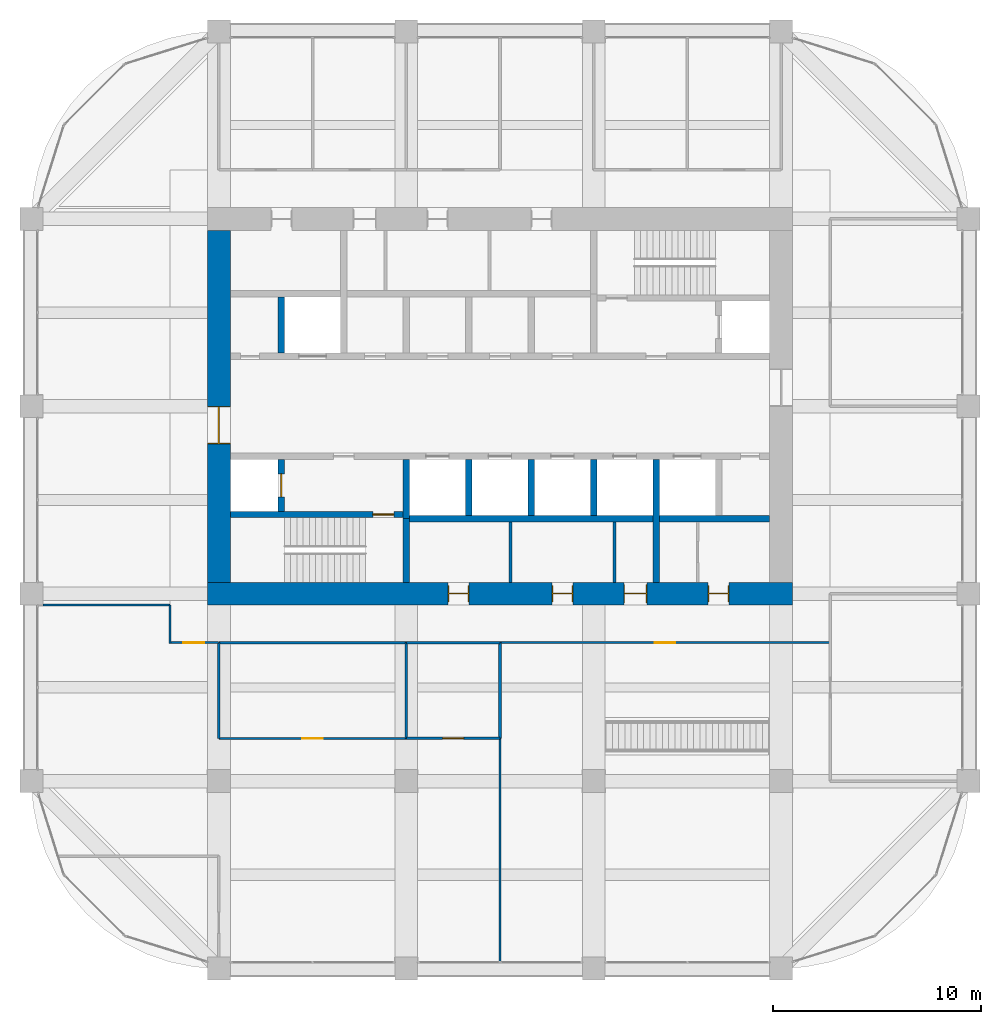
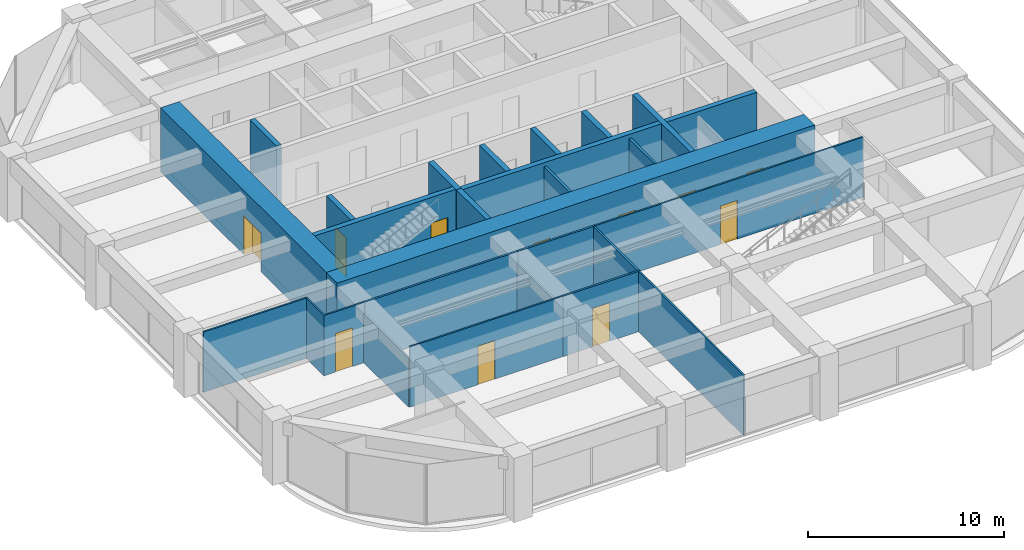
# One storey, part 41 of 44: 26 walls, 11 doors, 11 openings.
"""IFC4 building model written with IfcOpenShell, lengths in metres."""

from ifc_helpers import new_model, si_unit, direction, frame, frame_2d, origin, place, context, subcontext, project, spatial, rectangle, extrude, material, layer, layer_set, type_object, element, fill, save


model = new_model("IFC4")

# Units and contexts
model_context = context("Model", 3, precision=1e-05, world=origin(), true_north=direction((0.0, 1.0)))
body_context = subcontext(model_context, "Body", "Model", "MODEL_VIEW")
ifc_project = project(units=[si_unit("LENGTHUNIT", "METRE"), si_unit("AREAUNIT", "SQUARE_METRE"), si_unit("VOLUMEUNIT", "CUBIC_METRE"), si_unit("PLANEANGLEUNIT", "RADIAN"), si_unit("MASSUNIT", "GRAM", prefix="KILO")], contexts=[model_context])

# Site, building, storey
site_placement = place(None, origin())
site = spatial("IfcSite", under=ifc_project, at=site_placement, CompositionType="ELEMENT")
building_placement = place(site_placement, origin())
building = spatial("IfcBuilding", under=site, at=building_placement, Name="Zorevar Civic Tower", CompositionType="ELEMENT")
storey_placement = place(building_placement, frame((0.0, 0.0, 251.39990234375)))
storey = spatial("IfcBuildingStorey", under=building, at=storey_placement, Name="L61", CompositionType="ELEMENT", Elevation=251.39990234375)

# Wall, openings, doors
ifc_material_1 = material(Name="Concrete C50/60", Category="concrete")
ifc_layer_1 = layer(ifc_material_1, 1.10009765625)
ifc_layer_set_1 = layer_set([ifc_layer_1], Name="Core wall 1100")
wall_type_1 = type_object("IfcWallType", Name="Core wall 1100", PredefinedType="SHEAR", material=ifc_layer_set_1)
wall_1_placement = place(storey_placement, frame((17.449951171875, 18.0, 0.0), z_axis=(0.0, 0.0, 1.0), x_axis=(1.0, 0.0, 0.0)))
wall_1 = element("IfcWall", 1, at=wall_1_placement, inside=storey, type_object=wall_type_1, Name="Core wall S L61", PredefinedType="SHEAR", context=body_context, shape_type="SweptSolid", body=[
    extrude(rectangle(XDim=28.10009765625, YDim=1.10009765625, at=frame_2d((14.050048828125, 0.0))), origin(), (0.0, 0.0, 1.0), 4.0),
])
opening_1_placement = place(wall_1_placement, frame((11.550048828125, 0.0, 0.0)))
opening_1 = element("IfcOpeningElement", 2, at=opening_1_placement, cuts=wall_1, Name="Opening L61.03", PredefinedType="OPENING", context=body_context, shape_type="SweptSolid", body=[
    extrude(rectangle(XDim=1.0, YDim=2.39990234375, at=frame_2d((0.5, 1.199951171875))), frame((0.0, 0.56005859375, 0.0), z_axis=(0.0, -1.0, 0.0), x_axis=(1.0, 0.0, 0.0)), (0.0, 0.0, 1.0), 1.1201171875),
])
opening_2_placement = place(wall_1_placement, frame((16.550048828125, 0.0, 0.0)))
opening_2 = element("IfcOpeningElement", 3, at=opening_2_placement, cuts=wall_1, Name="Opening L61.04", PredefinedType="OPENING", context=body_context, shape_type="SweptSolid", body=[
    extrude(rectangle(XDim=1.0, YDim=2.39990234375, at=frame_2d((0.5, 1.199951171875))), frame((0.0, 0.56005859375, 0.0), z_axis=(0.0, -1.0, 0.0), x_axis=(1.0, 0.0, 0.0)), (0.0, 0.0, 1.0), 1.1201171875),
])
opening_3_placement = place(wall_1_placement, frame((20.0, 0.0, 0.0)))
opening_3 = element("IfcOpeningElement", 4, at=opening_3_placement, cuts=wall_1, Name="Opening L61.05", PredefinedType="OPENING", context=body_context, shape_type="SweptSolid", body=[
    extrude(rectangle(XDim=1.10009765625, YDim=2.39990234375, at=frame_2d((0.550048828125, 1.199951171875))), frame((0.0, 0.56005859375, 0.0), z_axis=(0.0, -1.0, 0.0), x_axis=(1.0, 0.0, 0.0)), (0.0, 0.0, 1.0), 1.1201171875),
])
opening_4_placement = place(wall_1_placement, frame((24.050048828125, 0.0, 0.0)))
opening_4 = element("IfcOpeningElement", 5, at=opening_4_placement, cuts=wall_1, Name="Opening L61.06", PredefinedType="OPENING", context=body_context, shape_type="SweptSolid", body=[
    extrude(rectangle(XDim=1.0, YDim=2.39990234375, at=frame_2d((0.5, 1.199951171875))), frame((0.0, 0.56005859375, 0.0), z_axis=(0.0, -1.0, 0.0), x_axis=(1.0, 0.0, 0.0)), (0.0, 0.0, 1.0), 1.1201171875),
])
ifc_material_2 = material(Name="Timber door set", Category="wood")
door_type_1 = type_object("IfcDoorType", Name="Door D1 1000x2400", OperationType="SINGLE_SWING_LEFT", PredefinedType="DOOR", material=ifc_material_2)
door_1_placement = place(opening_1_placement, origin())
door_1 = element("IfcDoor", 6, at=door_1_placement, inside=storey, type_object=door_type_1, Name="Door L61 02", OperationType="SINGLE_SWING_LEFT", OverallHeight=2.39990234375, OverallWidth=1.0, PredefinedType="DOOR", context=body_context, shape_type="SweptSolid", body=[
    extrude(rectangle(XDim=1.0, YDim=2.39990234375, at=frame_2d((0.5, 1.199951171875))), frame((0.0, 0.02490234375, 0.0), z_axis=(0.0, -1.0, 0.0), x_axis=(1.0, 0.0, 0.0)), (0.0, 0.0, 1.0), 0.050048828125),
    extrude(rectangle(XDim=0.04, YDim=2.39990234375, at=frame_2d((0.02001953125, 1.199951171875))), frame((0.0, 0.39990234375, 0.0), z_axis=(0.0, -1.0, 0.0), x_axis=(1.0, 0.0, 0.0)), (0.0, 0.0, 1.0), 0.800048828125),
    extrude(rectangle(XDim=0.04, YDim=2.39990234375, at=frame_2d((0.97998046875, 1.199951171875))), frame((0.0, 0.39990234375, 0.0), z_axis=(0.0, -1.0, 0.0), x_axis=(1.0, 0.0, 0.0)), (0.0, 0.0, 1.0), 0.800048828125),
    extrude(rectangle(XDim=1.0, YDim=0.04, at=frame_2d((0.5, 2.3798828125))), frame((0.0, 0.39990234375, 0.0), z_axis=(0.0, -1.0, 0.0), x_axis=(1.0, 0.0, 0.0)), (0.0, 0.0, 1.0), 0.800048828125),
])
fill(opening_1, door_1)
door_2_placement = place(opening_2_placement, origin())
door_2 = element("IfcDoor", 7, at=door_2_placement, inside=storey, type_object=door_type_1, Name="Door L61 03", OperationType="SINGLE_SWING_RIGHT", OverallHeight=2.39990234375, OverallWidth=1.0, PredefinedType="DOOR", context=body_context, shape_type="SweptSolid", body=[
    extrude(rectangle(XDim=1.0, YDim=2.39990234375, at=frame_2d((0.5, 1.199951171875))), frame((0.0, 0.02490234375, 0.0), z_axis=(0.0, -1.0, 0.0), x_axis=(1.0, 0.0, 0.0)), (0.0, 0.0, 1.0), 0.050048828125),
    extrude(rectangle(XDim=0.04, YDim=2.39990234375, at=frame_2d((0.02001953125, 1.199951171875))), frame((0.0, 0.39990234375, 0.0), z_axis=(0.0, -1.0, 0.0), x_axis=(1.0, 0.0, 0.0)), (0.0, 0.0, 1.0), 0.800048828125),
    extrude(rectangle(XDim=0.04, YDim=2.39990234375, at=frame_2d((0.97998046875, 1.199951171875))), frame((0.0, 0.39990234375, 0.0), z_axis=(0.0, -1.0, 0.0), x_axis=(1.0, 0.0, 0.0)), (0.0, 0.0, 1.0), 0.800048828125),
    extrude(rectangle(XDim=1.0, YDim=0.04, at=frame_2d((0.5, 2.3798828125))), frame((0.0, 0.39990234375, 0.0), z_axis=(0.0, -1.0, 0.0), x_axis=(1.0, 0.0, 0.0)), (0.0, 0.0, 1.0), 0.800048828125),
])
fill(opening_2, door_2)
door_3_placement = place(opening_4_placement, origin())
door_3 = element("IfcDoor", 8, at=door_3_placement, inside=storey, type_object=door_type_1, Name="Door L61 05", OperationType="SINGLE_SWING_RIGHT", OverallHeight=2.39990234375, OverallWidth=1.0, PredefinedType="DOOR", context=body_context, shape_type="SweptSolid", body=[
    extrude(rectangle(XDim=1.0, YDim=2.39990234375, at=frame_2d((0.5, 1.199951171875))), frame((0.0, 0.02490234375, 0.0), z_axis=(0.0, -1.0, 0.0), x_axis=(1.0, 0.0, 0.0)), (0.0, 0.0, 1.0), 0.050048828125),
    extrude(rectangle(XDim=0.04, YDim=2.39990234375, at=frame_2d((0.02001953125, 1.199951171875))), frame((0.0, 0.39990234375, 0.0), z_axis=(0.0, -1.0, 0.0), x_axis=(1.0, 0.0, 0.0)), (0.0, 0.0, 1.0), 0.800048828125),
    extrude(rectangle(XDim=0.04, YDim=2.39990234375, at=frame_2d((0.97998046875, 1.199951171875))), frame((0.0, 0.39990234375, 0.0), z_axis=(0.0, -1.0, 0.0), x_axis=(1.0, 0.0, 0.0)), (0.0, 0.0, 1.0), 0.800048828125),
    extrude(rectangle(XDim=1.0, YDim=0.04, at=frame_2d((0.5, 2.3798828125))), frame((0.0, 0.39990234375, 0.0), z_axis=(0.0, -1.0, 0.0), x_axis=(1.0, 0.0, 0.0)), (0.0, 0.0, 1.0), 0.800048828125),
])
fill(opening_4, door_3)
ifc_material_3 = material(Name="Timber door set", Category="wood")
door_type_2 = type_object("IfcDoorType", Name="Door D5 1100x2400", OperationType="SINGLE_SWING_LEFT", PredefinedType="DOOR", material=ifc_material_3)
door_4_placement = place(opening_3_placement, origin())
door_4 = element("IfcDoor", 9, at=door_4_placement, inside=storey, type_object=door_type_2, Name="Door L61 04", OperationType="SINGLE_SWING_RIGHT", OverallHeight=2.39990234375, OverallWidth=1.10009765625, PredefinedType="DOOR", context=body_context, shape_type="SweptSolid", body=[
    extrude(rectangle(XDim=1.10009765625, YDim=2.39990234375, at=frame_2d((0.550048828125, 1.199951171875))), frame((0.0, 0.02490234375, 0.0), z_axis=(0.0, -1.0, 0.0), x_axis=(1.0, 0.0, 0.0)), (0.0, 0.0, 1.0), 0.050048828125),
    extrude(rectangle(XDim=0.04, YDim=2.39990234375, at=frame_2d((0.02001953125, 1.199951171875))), frame((0.0, 0.43994140625, 0.0), z_axis=(0.0, -1.0, 0.0), x_axis=(1.0, 0.0, 0.0)), (0.0, 0.0, 1.0), 0.880126953125),
    extrude(rectangle(XDim=0.04, YDim=2.39990234375, at=frame_2d((1.080078125, 1.199951171875))), frame((0.0, 0.43994140625, 0.0), z_axis=(0.0, -1.0, 0.0), x_axis=(1.0, 0.0, 0.0)), (0.0, 0.0, 1.0), 0.880126953125),
    extrude(rectangle(XDim=1.10009765625, YDim=0.04, at=frame_2d((0.550048828125, 2.3798828125))), frame((0.0, 0.43994140625, 0.0), z_axis=(0.0, -1.0, 0.0), x_axis=(1.0, 0.0, 0.0)), (0.0, 0.0, 1.0), 0.880126953125),
])
fill(opening_3, door_4)

# Wall, opening, door
wall_2_placement = place(storey_placement, frame((18.0, 35.449951171875, 0.0), z_axis=(0.0, 0.0, 1.0), x_axis=(0.0, -1.0, 0.0)))
wall_2 = element("IfcWall", 10, at=wall_2_placement, inside=storey, type_object=wall_type_1, Name="Core wall W L61", PredefinedType="SHEAR", context=body_context, shape_type="SweptSolid", body=[
    extrude(rectangle(XDim=16.89990234375, YDim=1.10009765625, at=frame_2d((8.449951171875, 0.0))), origin(), (0.0, 0.0, 1.0), 4.0),
])
opening_5_placement = place(wall_2_placement, frame((8.449951171875, 0.0, 0.0)))
opening_5 = element("IfcOpeningElement", 11, at=opening_5_placement, cuts=wall_2, Name="Opening L61.01", PredefinedType="OPENING", context=body_context, shape_type="SweptSolid", body=[
    extrude(rectangle(XDim=1.800048828125, YDim=2.39990234375, at=frame_2d((0.89990234375, 1.199951171875))), frame((0.0, 0.56005859375, 0.0), z_axis=(0.0, -1.0, 0.0), x_axis=(1.0, 0.0, 0.0)), (0.0, 0.0, 1.0), 1.1201171875),
])
ifc_material_4 = material(Name="Steel door set", Category="steel")
door_type_3 = type_object("IfcDoorType", Name="Fire door FD2 1800x2400", OperationType="DOUBLE_DOOR_DOUBLE_SWING", PredefinedType="DOOR", material=ifc_material_4)
door_5_placement = place(opening_5_placement, origin())
door_5 = element("IfcDoor", 12, at=door_5_placement, inside=storey, type_object=door_type_3, Name="Door L61 00", OperationType="DOUBLE_DOOR_DOUBLE_SWING", OverallHeight=2.39990234375, OverallWidth=1.800048828125, PredefinedType="DOOR", context=body_context, shape_type="SweptSolid", body=[
    extrude(rectangle(XDim=1.800048828125, YDim=2.39990234375, at=frame_2d((0.89990234375, 1.199951171875))), frame((0.0, 0.030029296875, 0.0), z_axis=(0.0, -1.0, 0.0), x_axis=(1.0, 0.0, 0.0)), (0.0, 0.0, 1.0), 0.06005859375),
    extrude(rectangle(XDim=0.04, YDim=2.39990234375, at=frame_2d((0.02001953125, 1.199951171875))), frame((0.0, 0.5498046875, 0.0), z_axis=(0.0, -1.0, 0.0), x_axis=(1.0, 0.0, 0.0)), (0.0, 0.0, 1.0), 1.099609375),
    extrude(rectangle(XDim=0.04, YDim=2.39990234375, at=frame_2d((1.780029296875, 1.199951171875))), frame((0.0, 0.5498046875, 0.0), z_axis=(0.0, -1.0, 0.0), x_axis=(1.0, 0.0, 0.0)), (0.0, 0.0, 1.0), 1.099609375),
    extrude(rectangle(XDim=1.800048828125, YDim=0.04, at=frame_2d((0.89990234375, 2.3798828125))), frame((0.0, 0.5498046875, 0.0), z_axis=(0.0, -1.0, 0.0), x_axis=(1.0, 0.0, 0.0)), (0.0, 0.0, 1.0), 1.099609375),
])
fill(opening_5, door_5)

ifc_material_5 = material(Name="Laminated glass in black aluminium frame", Category="aluminium")
ifc_layer_2 = layer(ifc_material_5, 0.10009765625)
ifc_layer_set_2 = layer_set([ifc_layer_2], Name="Glazed partition 100")
wall_type_2 = type_object("IfcWallType", Name="Glazed partition 100", PredefinedType="PARTITIONING", material=ifc_layer_set_2)
wall_3_placement = place(storey_placement, frame((18.0, 11.050048828125, 0.0), z_axis=(0.0, 0.0, 1.0), x_axis=(1.0, 0.0, 0.0)))
wall_3 = element("IfcWall", 13, at=wall_3_placement, inside=storey, type_object=wall_type_2, Name="Glazed partition 100 L61", PredefinedType="PARTITIONING", context=body_context, shape_type="SweptSolid", body=[
    extrude(rectangle(XDim=9.0, YDim=0.10009765625, at=frame_2d((4.5, 0.0))), origin(), (0.0, 0.0, 1.0), 3.75),
])
opening_6_placement = place(wall_3_placement, frame((4.0, 0.0, 0.0)))
opening_6 = element("IfcOpeningElement", 14, at=opening_6_placement, cuts=wall_3, Name="Opening L61.18", PredefinedType="OPENING", context=body_context, shape_type="SweptSolid", body=[
    extrude(rectangle(XDim=1.0, YDim=2.39990234375, at=frame_2d((0.5, 1.199951171875))), frame((0.0, 0.06005859375, 0.0), z_axis=(0.0, -1.0, 0.0), x_axis=(1.0, 0.0, 0.0)), (0.0, 0.0, 1.0), 0.1201171875),
])
ifc_material_6 = material(Name="Timber door set", Category="wood")
door_type_4 = type_object("IfcDoorType", Name="Glazed door GD1 1000x2400", OperationType="SINGLE_SWING_LEFT", PredefinedType="DOOR", material=ifc_material_6)
door_6_placement = place(opening_6_placement, origin())
door_6 = element("IfcDoor", 15, at=door_6_placement, inside=storey, type_object=door_type_4, Name="Door L61 D1", OperationType="SINGLE_SWING_RIGHT", OverallHeight=2.39990234375, OverallWidth=1.0, PredefinedType="DOOR", context=body_context, shape_type="SweptSolid", body=[
    extrude(rectangle(XDim=1.0, YDim=2.39990234375, at=frame_2d((0.5, 1.199951171875))), frame((0.0, 0.02001953125, 0.0), z_axis=(0.0, -1.0, 0.0), x_axis=(1.0, 0.0, 0.0)), (0.0, 0.0, 1.0), 0.0400390625),
])
fill(opening_6, door_6)

wall_4_placement = place(storey_placement, frame((31.510009765625, 15.64990234375, 0.0), z_axis=(0.0, 0.0, 1.0), x_axis=(1.0, 0.0, 0.0)))
wall_4 = element("IfcWall", 16, at=wall_4_placement, inside=storey, type_object=wall_type_2, Name="Glazed partition 100 L61", PredefinedType="PARTITIONING", context=body_context, shape_type="SweptSolid", body=[
    extrude(rectangle(XDim=15.830078125, YDim=0.10009765625, at=frame_2d((7.9150390625, 0.0))), origin(), (0.0, 0.0, 1.0), 3.75),
])
opening_7_placement = place(wall_4_placement, frame((7.4150390625, 0.0, 0.0)))
opening_7 = element("IfcOpeningElement", 17, at=opening_7_placement, cuts=wall_4, Name="Opening L61.19", PredefinedType="OPENING", context=body_context, shape_type="SweptSolid", body=[
    extrude(rectangle(XDim=1.0, YDim=2.39990234375, at=frame_2d((0.5, 1.199951171875))), frame((0.0, 0.06005859375, 0.0), z_axis=(0.0, -1.0, 0.0), x_axis=(1.0, 0.0, 0.0)), (0.0, 0.0, 1.0), 0.1201171875),
])
door_7_placement = place(opening_7_placement, origin())
door_7 = element("IfcDoor", 18, at=door_7_placement, inside=storey, type_object=door_type_4, Name="Door L61 D1", OperationType="SINGLE_SWING_LEFT", OverallHeight=2.39990234375, OverallWidth=1.0, PredefinedType="DOOR", context=body_context, shape_type="SweptSolid", body=[
    extrude(rectangle(XDim=1.0, YDim=2.39990234375, at=frame_2d((0.5, 1.199951171875))), frame((0.0, 0.02001953125, 0.0), z_axis=(0.0, -1.0, 0.0), x_axis=(1.0, 0.0, 0.0)), (0.0, 0.0, 1.0), 0.0400390625),
])
fill(opening_7, door_7)

wall_5_placement = place(storey_placement, frame((15.60009765625, 15.64990234375, 0.0), z_axis=(0.0, 0.0, 1.0), x_axis=(1.0, 0.0, 0.0)))
wall_5 = element("IfcWall", 19, at=wall_5_placement, inside=storey, type_object=wall_type_2, Name="Glazed partition 100 L61", PredefinedType="PARTITIONING", context=body_context, shape_type="SweptSolid", body=[
    extrude(rectangle(XDim=2.389892578125, YDim=0.10009765625, at=frame_2d((1.19482421875, 0.0))), origin(), (0.0, 0.0, 1.0), 3.75),
])
opening_8_placement = place(wall_5_placement, frame((0.695068359375, 0.0, 0.0)))
opening_8 = element("IfcOpeningElement", 20, at=opening_8_placement, cuts=wall_5, Name="Opening L61.20", PredefinedType="OPENING", context=body_context, shape_type="SweptSolid", body=[
    extrude(rectangle(XDim=1.0, YDim=2.39990234375, at=frame_2d((0.5, 1.199951171875))), frame((0.0, 0.06005859375, 0.0), z_axis=(0.0, -1.0, 0.0), x_axis=(1.0, 0.0, 0.0)), (0.0, 0.0, 1.0), 0.1201171875),
])
door_8_placement = place(opening_8_placement, origin())
door_8 = element("IfcDoor", 21, at=door_8_placement, inside=storey, type_object=door_type_4, Name="Door L61 D1", OperationType="SINGLE_SWING_RIGHT", OverallHeight=2.39990234375, OverallWidth=1.0, PredefinedType="DOOR", context=body_context, shape_type="SweptSolid", body=[
    extrude(rectangle(XDim=1.0, YDim=2.39990234375, at=frame_2d((0.5, 1.199951171875))), frame((0.0, 0.02001953125, 0.0), z_axis=(0.0, -1.0, 0.0), x_axis=(1.0, 0.0, 0.0)), (0.0, 0.0, 1.0), 0.0400390625),
])
fill(opening_8, door_8)

# Walls
wall_6_placement = place(storey_placement, frame((9.550048828125, 17.449951171875, 0.0), z_axis=(0.0, 0.0, 1.0), x_axis=(1.0, 0.0, 0.0)))
element("IfcWall", 22, at=wall_6_placement, inside=storey, type_object=wall_type_2, Name="Glazed partition 100 L61", PredefinedType="PARTITIONING", context=body_context, shape_type="SweptSolid", body=[
    extrude(rectangle(XDim=6.099853515625, YDim=0.10009765625, at=frame_2d((3.0498046875, 0.0))), origin(), (0.0, 0.0, 1.0), 3.75),
])
wall_7_placement = place(storey_placement, frame((15.64990234375, 15.60009765625, 0.0), z_axis=(0.0, 0.0, 1.0), x_axis=(0.0, 1.0, 0.0)))
element("IfcWall", 23, at=wall_7_placement, inside=storey, type_object=wall_type_2, Name="Glazed partition 100 L61", PredefinedType="PARTITIONING", context=body_context, shape_type="SweptSolid", body=[
    extrude(rectangle(XDim=1.849853515625, YDim=0.10009765625, at=frame_2d((0.9248046875, 0.0))), origin(), (0.0, 0.0, 1.0), 3.75),
])
wall_8_placement = place(storey_placement, frame((31.5, 0.31005859375, 0.0), z_axis=(0.0, 0.0, 1.0), x_axis=(0.0, 1.0, 0.0)))
element("IfcWall", 24, at=wall_8_placement, inside=storey, type_object=wall_type_2, Name="Glazed partition 100 L61", PredefinedType="PARTITIONING", context=body_context, shape_type="SweptSolid", body=[
    extrude(rectangle(XDim=10.739990234375, YDim=0.10009765625, at=frame_2d((5.3701171875, 0.0))), origin(), (0.0, 0.0, 1.0), 3.75),
])

# Wall, opening, door
ifc_material_7 = material(Name="Concrete C40/50", Category="concrete")
ifc_layer_3 = layer(ifc_material_7, 0.300048828125)
ifc_layer_set_3 = layer_set([ifc_layer_3], Name="Inner core wall 300")
wall_type_3 = type_object("IfcWallType", Name="Inner core wall 300", PredefinedType="SHEAR", material=ifc_layer_set_3)
wall_9_placement = place(storey_placement, frame((18.550048828125, 21.800048828125, 0.0), z_axis=(0.0, 0.0, 1.0), x_axis=(1.0, 0.0, 0.0)))
wall_9 = element("IfcWall", 25, at=wall_9_placement, inside=storey, type_object=wall_type_3, Name="Inner core wall S00 L61", PredefinedType="SHEAR", context=body_context, shape_type="SweptSolid", body=[
    extrude(rectangle(XDim=8.300048828125, YDim=0.300048828125, at=frame_2d((4.14990234375, 0.0))), origin(), (0.0, 0.0, 1.0), 4.0),
])
opening_9_placement = place(wall_9_placement, frame((6.85009765625, 0.0, 0.0)))
opening_9 = element("IfcOpeningElement", 26, at=opening_9_placement, cuts=wall_9, Name="Opening L61.11", PredefinedType="OPENING", context=body_context, shape_type="SweptSolid", body=[
    extrude(rectangle(XDim=1.0, YDim=2.39990234375, at=frame_2d((0.5, 1.199951171875))), frame((0.0, 0.159912109375, 0.0), z_axis=(0.0, -1.0, 0.0), x_axis=(1.0, 0.0, 0.0)), (0.0, 0.0, 1.0), 0.320068359375),
])
ifc_material_8 = material(Name="Steel door set", Category="steel")
door_type_5 = type_object("IfcDoorType", Name="Fire door FD1 1000x2400", OperationType="SINGLE_SWING_LEFT", PredefinedType="DOOR", material=ifc_material_8)
door_9_placement = place(opening_9_placement, origin())
door_9 = element("IfcDoor", 27, at=door_9_placement, inside=storey, type_object=door_type_5, Name="Door L61 10", OperationType="SINGLE_SWING_RIGHT", OverallHeight=2.39990234375, OverallWidth=1.0, PredefinedType="DOOR", context=body_context, shape_type="SweptSolid", body=[
    extrude(rectangle(XDim=1.0, YDim=2.39990234375, at=frame_2d((0.5, 1.199951171875))), frame((0.0, 0.030029296875, 0.0), z_axis=(0.0, -1.0, 0.0), x_axis=(1.0, 0.0, 0.0)), (0.0, 0.0, 1.0), 0.06005859375),
])
fill(opening_9, door_9)

# Wall
wall_10_placement = place(storey_placement, frame((27.0, 18.550048828125, 0.0), z_axis=(0.0, 0.0, 1.0), x_axis=(0.0, 1.0, 0.0)))
element("IfcWall", 28, at=wall_10_placement, inside=storey, type_object=wall_type_3, Name="Inner core wall S01 L61", PredefinedType="SHEAR", context=body_context, shape_type="SweptSolid", body=[
    extrude(rectangle(XDim=3.050048828125, YDim=0.300048828125, at=frame_2d((1.52490234375, 0.0))), origin(), (0.0, 0.0, 1.0), 4.0),
])

# Wall, opening, door
wall_11_placement = place(storey_placement, frame((21.0, 21.949951171875, 0.0), z_axis=(0.0, 0.0, 1.0), x_axis=(0.0, 1.0, 0.0)))
wall_11 = element("IfcWall", 29, at=wall_11_placement, inside=storey, type_object=wall_type_3, Name="Inner core wall S02 L61", PredefinedType="SHEAR", context=body_context, shape_type="SweptSolid", body=[
    extrude(rectangle(XDim=2.5, YDim=0.300048828125, at=frame_2d((1.25, 0.0))), origin(), (0.0, 0.0, 1.0), 4.0),
])
opening_10_placement = place(wall_11_placement, frame((0.699951171875, 0.0, 0.0)))
opening_10 = element("IfcOpeningElement", 30, at=opening_10_placement, cuts=wall_11, Name="Opening L61.FL1", PredefinedType="OPENING", context=body_context, shape_type="SweptSolid", body=[
    extrude(rectangle(XDim=1.10009765625, YDim=2.39990234375, at=frame_2d((0.550048828125, 1.199951171875))), frame((0.0, 0.159912109375, 0.0), z_axis=(0.0, -1.0, 0.0), x_axis=(1.0, 0.0, 0.0)), (0.0, 0.0, 1.0), 0.320068359375),
])
ifc_material_9 = material(Name="Steel door set", Category="steel")
door_type_6 = type_object("IfcDoorType", Name="Firefighting lift landing door LD3 1100x2400", OperationType="DOUBLE_DOOR_SLIDING", PredefinedType="DOOR", material=ifc_material_9)
door_10_placement = place(opening_10_placement, origin())
door_10 = element("IfcDoor", 31, at=door_10_placement, inside=storey, type_object=door_type_6, Name="Landing door FL1 L61", OperationType="DOUBLE_DOOR_SLIDING", OverallHeight=2.39990234375, OverallWidth=1.10009765625, PredefinedType="DOOR", context=body_context, shape_type="SweptSolid", body=[
    extrude(rectangle(XDim=1.10009765625, YDim=2.39990234375, at=frame_2d((0.550048828125, 1.199951171875))), frame((0.0, 0.030029296875, 0.0), z_axis=(0.0, -1.0, 0.0), x_axis=(1.0, 0.0, 0.0)), (0.0, 0.0, 1.0), 0.06005859375),
])
fill(opening_10, door_10)

# Walls
wall_12_placement = place(storey_placement, frame((27.14990234375, 21.60009765625, 0.0), z_axis=(0.0, 0.0, 1.0), x_axis=(1.0, 0.0, 0.0)))
element("IfcWall", 32, at=wall_12_placement, inside=storey, type_object=wall_type_3, Name="Inner core wall S04 L61", PredefinedType="SHEAR", context=body_context, shape_type="SweptSolid", body=[
    extrude(rectangle(XDim=17.300048828125, YDim=0.300048828125, at=frame_2d((8.64990234375, 0.0))), origin(), (0.0, 0.0, 1.0), 4.0),
])
for number, where, z_axis, x_axis, name in (
    (33, (30.0, 21.75, 0.0), (0.0, 0.0, 1.0), (0.0, 1.0, 0.0), "Inner core wall S05 L61"),
    (34, (33.0, 21.75, 0.0), (0.0, 0.0, 1.0), (0.0, 1.0, 0.0), "Inner core wall S06 L61"),
    (35, (36.0, 21.75, 0.0), (0.0, 0.0, 1.0), (0.0, 1.0, 0.0), "Inner core wall S07 L61"),
):
    element("IfcWall", number, at=place(storey_placement, frame(where, z_axis=z_axis, x_axis=x_axis)), inside=storey, type_object=wall_type_3, Name=name, PredefinedType="SHEAR", context=body_context, shape_type="SweptSolid", body=[
        extrude(rectangle(XDim=2.699951171875, YDim=0.300048828125, at=frame_2d((1.35009765625, 0.0))), origin(), (0.0, 0.0, 1.0), 4.0),
    ])
wall_13_placement = place(storey_placement, frame((39.0, 18.550048828125, 0.0), z_axis=(0.0, 0.0, 1.0), x_axis=(0.0, 1.0, 0.0)))
element("IfcWall", 36, at=wall_13_placement, inside=storey, type_object=wall_type_3, Name="Inner core wall S08 L61", PredefinedType="SHEAR", context=body_context, shape_type="SweptSolid", body=[
    extrude(rectangle(XDim=5.89990234375, YDim=0.300048828125, at=frame_2d((2.949951171875, 0.0))), origin(), (0.0, 0.0, 1.0), 4.0),
])
wall_14_placement = place(storey_placement, frame((21.0, 29.550048828125, 0.0), z_axis=(0.0, 0.0, 1.0), x_axis=(0.0, 1.0, 0.0)))
element("IfcWall", 37, at=wall_14_placement, inside=storey, type_object=wall_type_3, Name="Inner core wall N09 L61", PredefinedType="SHEAR", context=body_context, shape_type="SweptSolid", body=[
    extrude(rectangle(XDim=2.699951171875, YDim=0.300048828125, at=frame_2d((1.35009765625, 0.0))), origin(), (0.0, 0.0, 1.0), 4.0),
])
wall_15_placement = place(storey_placement, frame((27.0, 21.60009765625, 0.0), z_axis=(0.0, 0.0, 1.0), x_axis=(0.0, 1.0, 0.0)))
element("IfcWall", 38, at=wall_15_placement, inside=storey, type_object=wall_type_3, Name="Inner core wall S10 L61", PredefinedType="SHEAR", context=body_context, shape_type="SweptSolid", body=[
    extrude(rectangle(XDim=2.849853515625, YDim=0.300048828125, at=frame_2d((1.4248046875, 0.0))), origin(), (0.0, 0.0, 1.0), 4.0),
])

# Wall, opening, door
ifc_material_10 = material(Name="Gypsum board on steel studs", Category="steel")
ifc_layer_4 = layer(ifc_material_10, 0.1201171875)
ifc_layer_set_4 = layer_set([ifc_layer_4], Name="Partition 120")
wall_type_4 = type_object("IfcWallType", Name="Partition 120", PredefinedType="PARTITIONING", material=ifc_layer_set_4)
wall_16_placement = place(storey_placement, frame((27.0, 11.050048828125, 0.0), z_axis=(0.0, 0.0, 1.0), x_axis=(1.0, 0.0, 0.0)))
wall_16 = element("IfcWall", 39, at=wall_16_placement, inside=storey, type_object=wall_type_4, Name="Partition 120 L61", PredefinedType="PARTITIONING", context=body_context, shape_type="SweptSolid", body=[
    extrude(rectangle(XDim=4.5, YDim=0.1201171875, at=frame_2d((2.25, 0.0))), origin(), (0.0, 0.0, 1.0), 3.75),
])
opening_11_placement = place(wall_16_placement, frame((1.75, 0.0, 0.0)))
opening_11 = element("IfcOpeningElement", 40, at=opening_11_placement, cuts=wall_16, Name="Opening L61.17", PredefinedType="OPENING", context=body_context, shape_type="SweptSolid", body=[
    extrude(rectangle(XDim=1.0, YDim=2.39990234375, at=frame_2d((0.5, 1.199951171875))), frame((0.0, 0.070068359375, 0.0), z_axis=(0.0, -1.0, 0.0), x_axis=(1.0, 0.0, 0.0)), (0.0, 0.0, 1.0), 0.14013671875),
])
door_11_placement = place(opening_11_placement, origin())
door_11 = element("IfcDoor", 41, at=door_11_placement, inside=storey, type_object=door_type_1, Name="Door L61 D1", OperationType="SINGLE_SWING_RIGHT", OverallHeight=2.39990234375, OverallWidth=1.0, PredefinedType="DOOR", context=body_context, shape_type="SweptSolid", body=[
    extrude(rectangle(XDim=1.0, YDim=2.39990234375, at=frame_2d((0.5, 1.199951171875))), frame((0.0, 0.02490234375, 0.0), z_axis=(0.0, -1.0, 0.0), x_axis=(1.0, 0.0, 0.0)), (0.0, 0.0, 1.0), 0.050048828125),
])
fill(opening_11, door_11)

# Walls
wall_17_placement = place(storey_placement, frame((18.0, 15.64990234375, 0.0), z_axis=(0.0, 0.0, 1.0), x_axis=(1.0, 0.0, 0.0)))
element("IfcWall", 42, at=wall_17_placement, inside=storey, type_object=wall_type_4, Name="Partition 120 L61", PredefinedType="PARTITIONING", context=body_context, shape_type="SweptSolid", body=[
    extrude(rectangle(XDim=9.0, YDim=0.1201171875, at=frame_2d((4.5, 0.0))), origin(), (0.0, 0.0, 1.0), 3.75),
])
wall_18_placement = place(storey_placement, frame((27.0, 15.64990234375, 0.0), z_axis=(0.0, 0.0, 1.0), x_axis=(1.0, 0.0, 0.0)))
element("IfcWall", 43, at=wall_18_placement, inside=storey, type_object=wall_type_4, Name="Partition 120 L61", PredefinedType="PARTITIONING", context=body_context, shape_type="SweptSolid", body=[
    extrude(rectangle(XDim=4.5, YDim=0.1201171875, at=frame_2d((2.25, 0.0))), origin(), (0.0, 0.0, 1.0), 3.75),
])
for number, where, z_axis, x_axis, name in (
    (44, (18.0, 11.050048828125, 0.0), (0.0, 0.0, 1.0), (0.0, 1.0, 0.0), "Partition 120 L61"),
    (45, (27.0, 11.050048828125, 0.0), (0.0, 0.0, 1.0), (0.0, 1.0, 0.0), "Partition 120 L61"),
):
    element("IfcWall", number, at=place(storey_placement, frame(where, z_axis=z_axis, x_axis=x_axis)), inside=storey, type_object=wall_type_4, Name=name, PredefinedType="PARTITIONING", context=body_context, shape_type="SweptSolid", body=[
        extrude(rectangle(XDim=4.599853515625, YDim=0.1201171875, at=frame_2d((2.2998046875, 0.0))), origin(), (0.0, 0.0, 1.0), 3.050048828125),
    ])
wall_19_placement = place(storey_placement, frame((31.5, 11.050048828125, 0.0), z_axis=(0.0, 0.0, 1.0), x_axis=(0.0, 1.0, 0.0)))
element("IfcWall", 46, at=wall_19_placement, inside=storey, type_object=wall_type_4, Name="Partition 120 L61", PredefinedType="PARTITIONING", context=body_context, shape_type="SweptSolid", body=[
    extrude(rectangle(XDim=4.599853515625, YDim=0.1201171875, at=frame_2d((2.2998046875, 0.0))), origin(), (0.0, 0.0, 1.0), 3.75),
])
ifc_material_11 = material(Name="Gypsum board on steel studs, moisture resistant", Category="steel")
ifc_layer_5 = layer(ifc_material_11, 0.14990234375)
ifc_layer_set_5 = layer_set([ifc_layer_5], Name="WC partition 150")
wall_type_5 = type_object("IfcWallType", Name="WC partition 150", PredefinedType="PARTITIONING", material=ifc_layer_set_5)
for number, where, z_axis, x_axis, name in (
    (47, (32.0, 18.550048828125, 0.0), (0.0, 0.0, 1.0), (0.0, 1.0, 0.0), "WC partition L61"),
    (48, (37.0, 18.550048828125, 0.0), (0.0, 0.0, 1.0), (0.0, 1.0, 0.0), "WC partition L61"),
):
    element("IfcWall", number, at=place(storey_placement, frame(where, z_axis=z_axis, x_axis=x_axis)), inside=storey, type_object=wall_type_5, Name=name, PredefinedType="PARTITIONING", context=body_context, shape_type="SweptSolid", body=[
        extrude(rectangle(XDim=2.89990234375, YDim=0.14990234375, at=frame_2d((1.449951171875, 0.0))), origin(), (0.0, 0.0, 1.0), 3.75),
    ])

save(model, "model.ifc")
